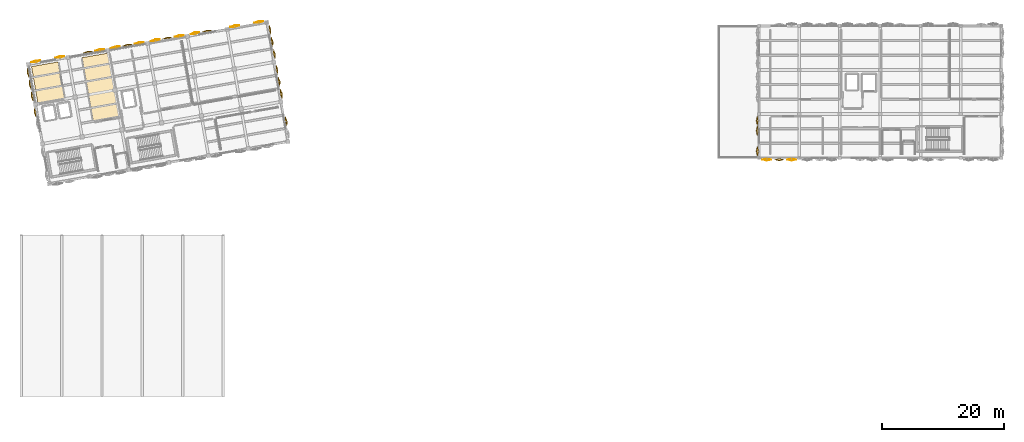
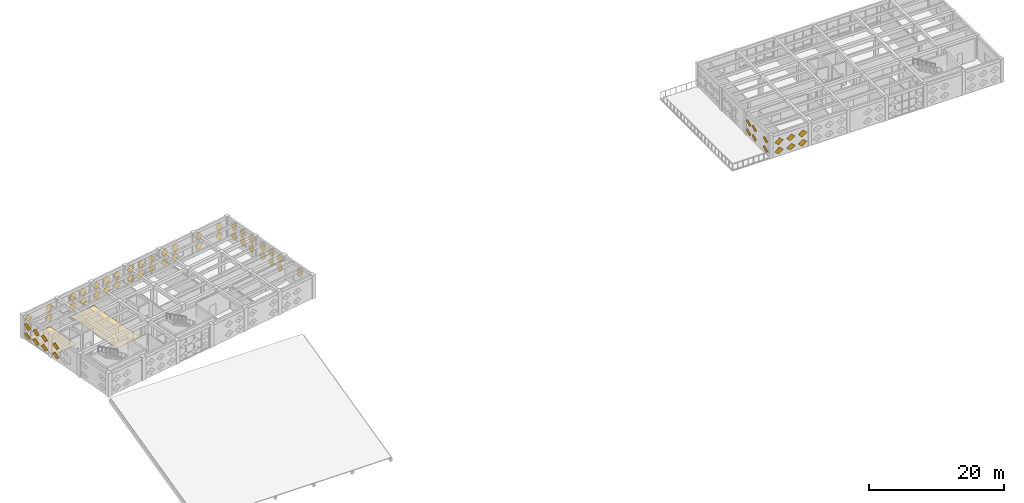
# One storey, part 37 of 39: 63 coverings.
"""IFC4 building model written with IfcOpenShell, lengths in metres."""

from ifc_helpers import new_model, si_unit, direction, frame, origin, place, context, subcontext, project, spatial, polyline, outline, extrude, material, layer, layer_set, type_object, element, save


model = new_model("IFC4")

# Units and contexts
model_context = context("Model", 3, precision=1e-05, world=origin(), true_north=direction((0.0, 1.0)))
body_context = subcontext(model_context, "Body", "Model", "MODEL_VIEW")
ifc_project = project(units=[si_unit("LENGTHUNIT", "METRE"), si_unit("AREAUNIT", "SQUARE_METRE"), si_unit("VOLUMEUNIT", "CUBIC_METRE"), si_unit("PLANEANGLEUNIT", "RADIAN"), si_unit("MASSUNIT", "GRAM", prefix="KILO")], contexts=[model_context])

# Site, building, storey
site_placement = place(None, origin())
site = spatial("IfcSite", under=ifc_project, at=site_placement, CompositionType="ELEMENT")
building_placement = place(site_placement, origin())
building = spatial("IfcBuilding", under=site, at=building_placement, Name="Kharisveld Research Institute", CompositionType="ELEMENT")
storey_placement = place(building_placement, frame((0.0, 0.0, 23.10009765625)))
storey = spatial("IfcBuildingStorey", under=building, at=storey_placement, Name="L05", CompositionType="ELEMENT", Elevation=23.10009765625)

# Coverings
ifc_material_1 = material(Name="Seamless Chemical-Resistant Epoxy", Category="mineral")
ifc_layer = layer(ifc_material_1, 0.014892578125)
ifc_layer_set = layer_set([ifc_layer], Name="CV_FLR_EPX")
covering_type_1 = type_object("IfcCoveringType", Name="CV_FLR_EPX", PredefinedType="FLOORING", material=ifc_layer_set)
covering_1_placement = place(storey_placement, origin())
element("IfcCovering", 1, at=covering_1_placement, inside=storey, type_object=covering_type_1, Name="COV:RM:V1:L05:NW:FLR", PredefinedType="FLOORING", context=body_context, shape_type="SweptSolid", body=[
    extrude(outline(polyline([(3.34228515625, 48.136962890625), (7.675537109375, 48.90087890625), (6.6162109375, 54.908203125), (2.282958984375, 54.144287109375), (3.34228515625, 48.136962890625)])), origin(), (0.0, 0.0, 1.0), 0.014892578125),
])
covering_2_placement = place(storey_placement, origin())
element("IfcCovering", 2, at=covering_2_placement, inside=storey, type_object=covering_type_1, Name="COV:RM:V1:L05:N1:FLR", PredefinedType="FLOORING", context=body_context, shape_type="SweptSolid", body=[
    extrude(outline(polyline([(12.41357421875, 45.0654296875), (16.84521484375, 45.8466796875), (14.987060546875, 56.38427734375), (10.555419921875, 55.602783203125), (12.41357421875, 45.0654296875)])), origin(), (0.0, 0.0, 1.0), 0.014892578125),
])
ifc_material_2 = material(Name="White Powder-Coated Perforated Aluminium", Category="aluminium")
covering_type_2 = type_object("IfcCoveringType", Name="CV_DIA_105", PredefinedType="CLADDING")
for number, where, z_axis, x_axis, name in (
    (3, (3.0380859375, 46.69873046875, 0.324951171875), (0.961487125864, 0.169504241221, 0.216358080518), (-0.27342850239, 0.669853329409, 0.690313965642), "SHD:V1:L05:W1:S2C0"),
    (4, (3.0380859375, 46.69873046875, 2.025146484375), (0.961487125864, 0.169504241221, 0.216358080518), (-0.27342850239, 0.669853329409, 0.690313965642), "SHD:V1:L05:W1:S2C1"),
):
    element("IfcCovering", number, at=place(storey_placement, frame(where, z_axis=z_axis, x_axis=x_axis)), inside=storey, type_object=covering_type_2, material=ifc_material_2, Name=name, PredefinedType="CLADDING", context=body_context, shape_type="SweptSolid", body=[
        extrude(outline(polyline([(0.0, 0.0), (1.0500345519602505, 0.0), (1.0499807392517624, 1.0499534878027108), (-5.381270848814346e-05, 1.049953487802711), (0.0, 0.0)])), origin(), (0.0, 0.0, -1.0), 0.02392578125),
    ])
for number, where, z_axis, x_axis, name in (
    (5, (2.58203125, 49.28564453125, 0.324951171875), (0.961442649282, 0.16952470156, 0.216539621552), (-0.273578570302, 0.66970617229, 0.690397283213), "SHD:V1:L05:W2:S0C0"),
    (6, (2.58203125, 49.28564453125, 2.025146484375), (0.961442649282, 0.16952470156, 0.216539621552), (-0.273578570302, 0.66970617229, 0.690397283213), "SHD:V1:L05:W2:S0C1"),
):
    element("IfcCovering", number, at=place(storey_placement, frame(where, z_axis=z_axis, x_axis=x_axis)), inside=storey, type_object=covering_type_2, material=ifc_material_2, Name=name, PredefinedType="CLADDING", context=body_context, shape_type="SweptSolid", body=[
        extrude(outline(polyline([(0.0, 0.0), (1.0498710226392558, 0.0), (1.0500604882684064, 1.0499603061510638), (0.00012267398601040203, 1.0499534754558235), (0.0, 0.0)])), origin(), (0.0, 0.0, -1.0), 0.02392578125),
    ])
for number, where, z_axis, x_axis, name in (
    (7, (2.237060546875, 51.2421875, 0.324951171875), (0.961420032054, 0.169652917176, 0.216539626071), (-0.273667258538, 0.669685861016, 0.690381835769), "SHD:V1:L05:W2:S1C0"),
    (8, (2.237060546875, 51.2421875, 2.025146484375), (0.961420032054, 0.169652917176, 0.216539626071), (-0.273667258538, 0.669685861016, 0.690381835769), "SHD:V1:L05:W2:S1C1"),
):
    element("IfcCovering", number, at=place(storey_placement, frame(where, z_axis=z_axis, x_axis=x_axis)), inside=storey, type_object=covering_type_2, material=ifc_material_2, Name=name, PredefinedType="CLADDING", context=body_context, shape_type="SweptSolid", body=[
        extrude(outline(polyline([(0.0, 0.0), (1.0499378206599106, 0.0), (1.0500673127316735, 1.0499534809922781), (-3.40054528989997e-05, 1.0501299963078314), (0.0, 0.0)])), origin(), (0.0, 0.0, -1.0), 0.02392578125),
    ])
for number, where, z_axis, x_axis, name in (
    (9, (1.89208984375, 53.198486328125, 0.324951171875), (0.961425979727, 0.169653966706, 0.216512394765), (-0.27364360613, 0.669810730042, 0.69027006508), "SHD:V1:L05:W2:S2C0"),
    (10, (1.89208984375, 53.198486328125, 2.025146484375), (0.961425979727, 0.169653966706, 0.216512394765), (-0.27364360613, 0.669810730042, 0.69027006508), "SHD:V1:L05:W2:S2C1"),
):
    element("IfcCovering", number, at=place(storey_placement, frame(where, z_axis=z_axis, x_axis=x_axis)), inside=storey, type_object=covering_type_2, material=ifc_material_2, Name=name, PredefinedType="CLADDING", context=body_context, shape_type="SweptSolid", body=[
        extrude(outline(polyline([(0.0, 0.0), (1.0501013332243323, 1.1102230246251565e-16), (1.050054335240126, 1.049953488129867), (-4.699798420648715e-05, 1.049953488129867), (0.0, 0.0)])), origin(), (0.0, 0.0, -1.0), 0.02392578125),
    ])
covering_3_placement = place(storey_placement, frame((3.03125, 54.87255859375, 0.317626953125), z_axis=(0.171391321025, -0.971271535422, 0.16509578903), x_axis=(0.676154491616, 0.237843352225, 0.697313160116)))
element("IfcCovering", 11, at=covering_3_placement, inside=storey, type_object=covering_type_2, material=ifc_material_2, Name="SHD:V1:L05:N0:S0C0", PredefinedType="CLADDING", context=body_context, shape_type="SweptSolid", body=[
    extrude(outline(polyline([(0.0, 0.0), (1.050003217317155, -1.1102230246251565e-16), (1.0499897073592166, 1.0500851275961767), (-0.00018375242866985886, 1.0499148410000858), (0.0, 0.0)])), origin(), (0.0, 0.0, -1.0), 0.02392578125),
])
covering_4_placement = place(storey_placement, frame((3.03125, 54.87255859375, 2.017578125), z_axis=(0.171391321025, -0.971271535422, 0.16509578903), x_axis=(0.676038293912, 0.237842070836, 0.697426250226)))
element("IfcCovering", 12, at=covering_4_placement, inside=storey, type_object=covering_type_2, material=ifc_material_2, Name="SHD:V1:L05:N0:S0C1", PredefinedType="CLADDING", context=body_context, shape_type="SweptSolid", body=[
    extrude(outline(polyline([(0.0, 0.0), (1.0501734735939505, -1.1102230246251565e-16), (1.0501599658262741, 1.049914856993047), (0.00015676231294525778, 1.0500851159819262), (0.0, 0.0)])), origin(), (0.0, 0.0, -1.0), 0.02392578125),
])
covering_5_placement = place(storey_placement, frame((6.9443359375, 55.5625, 0.317626953125), z_axis=(0.171260983897, -0.971289803558, 0.165123568578), x_axis=(0.676047594671, 0.237771051008, 0.69744145062)))
element("IfcCovering", 13, at=covering_5_placement, inside=storey, type_object=covering_type_2, material=ifc_material_2, Name="SHD:V1:L05:N0:S2C0", PredefinedType="CLADDING", context=body_context, shape_type="SweptSolid", body=[
    extrude(outline(polyline([(0.0, 0.0), (1.0498381477776833, -1.1102230246251565e-16), (1.0499996344353992, 1.0500851062964023), (4.926243906100414e-05, 1.0499129451252003), (0.0, 0.0)])), origin(), (0.0, 0.0, -1.0), 0.02392578125),
])
covering_6_placement = place(storey_placement, frame((6.9443359375, 55.5625, 2.017578125), z_axis=(0.171260983897, -0.971289803558, 0.165123568578), x_axis=(0.67593137977, 0.237769781024, 0.697554514769)))
element("IfcCovering", 14, at=covering_6_placement, inside=storey, type_object=covering_type_2, material=ifc_material_2, Name="SHD:V1:L05:N0:S2C1", PredefinedType="CLADDING", context=body_context, shape_type="SweptSolid", body=[
    extrude(outline(polyline([(0.0, 0.0), (1.0500084353722339, -1.1102230246251565e-16), (1.0501698867361986, 1.0499148402477598), (0.00038980202211746917, 1.050083149396377), (0.0, 0.0)])), origin(), (0.0, 0.0, -1.0), 0.02392578125),
])
for number, where, z_axis, x_axis, name in (
    (15, (11.494140625, 56.326171875, 0.324951171875), (0.169503194288, -0.961481187298, 0.216385289699), (0.669849989418, 0.273447448775, 0.690309701826), "SHD:V1:L05:N1:S1C0"),
    (16, (11.494140625, 56.326171875, 2.025146484375), (0.169503194288, -0.961481187298, 0.216385289699), (0.669849989418, 0.273447448775, 0.690309701826), "SHD:V1:L05:N1:S1C1"),
):
    element("IfcCovering", number, at=place(storey_placement, frame(where, z_axis=z_axis, x_axis=x_axis)), inside=storey, type_object=covering_type_2, material=ifc_material_2, Name=name, PredefinedType="CLADDING", context=body_context, shape_type="SweptSolid", body=[
        extrude(outline(polyline([(0.0, 0.0), (1.0500345517563856, -1.1102230246251565e-16), (1.0498172010450848, 1.0501299743656882), (-5.381311622809637e-05, 1.0499534875988095), (0.0, 0.0)])), origin(), (0.0, 0.0, -1.0), 0.02392578125),
    ])
covering_7_placement = place(storey_placement, frame((13.444091796875, 56.708740234375, 0.317626953125), z_axis=(0.171237830585, -0.971320648866, 0.164966064583), x_axis=(0.67606903884, 0.237642011667, 0.697464643558)))
element("IfcCovering", 17, at=covering_7_placement, inside=storey, type_object=covering_type_2, material=ifc_material_2, Name="SHD:V1:L05:N1:S2C0", PredefinedType="CLADDING", context=body_context, shape_type="SweptSolid", body=[
    extrude(outline(polyline([(0.0, 0.0), (1.0497801020167383, -1.1102230246251565e-16), (1.0499435113361357, 1.0500851143599854), (-0.0001719260522816679, 1.0500898242129075), (0.0, 0.0)])), origin(), (0.0, 0.0, -1.0), 0.02392578125),
])
covering_8_placement = place(storey_placement, frame((13.444091796875, 56.708740234375, 2.017578125), z_axis=(0.171237830585, -0.971320648866, 0.164966064583), x_axis=(0.67595281755, 0.23764072687, 0.697577718522)))
element("IfcCovering", 18, at=covering_8_placement, inside=storey, type_object=covering_type_2, material=ifc_material_2, Name="SHD:V1:L05:N1:S2C1", PredefinedType="CLADDING", context=body_context, shape_type="SweptSolid", body=[
    extrude(outline(polyline([(0.0, 0.0), (1.0499503952749474, -1.1102230246251565e-16), (1.0501137764870712, 1.0499148445609001), (0.00016866072896248863, 1.0502600677810072), (0.0, 0.0)])), origin(), (0.0, 0.0, -1.0), 0.02392578125),
])
covering_9_placement = place(storey_placement, frame((16.03076171875, 57.164794921875, 0.317626953125), z_axis=(0.171234061711, -0.9712992705, 0.165095800177), x_axis=(0.676172534966, 0.237733660148, 0.69733306948)))
element("IfcCovering", 19, at=covering_9_placement, inside=storey, type_object=covering_type_2, material=ifc_material_2, Name="SHD:V1:L05:N2:S0C0", PredefinedType="CLADDING", context=body_context, shape_type="SweptSolid", body=[
    extrude(outline(polyline([(0.0, 0.0), (1.049945167901042, 2.220446049250313e-16), (1.0499916144071415, 1.0500832207180806), (-0.0001818412696886762, 1.0499148369138707), (0.0, 0.0)])), origin(), (0.0, 0.0, -1.0), 0.02392578125),
])
covering_10_placement = place(storey_placement, frame((16.03076171875, 57.164794921875, 2.017578125), z_axis=(0.171234061711, -0.9712992705, 0.165095800177), x_axis=(0.67605633082, 0.237732396439, 0.697446159385)))
element("IfcCovering", 20, at=covering_10_placement, inside=storey, type_object=covering_type_2, material=ifc_material_2, Name="SHD:V1:L05:N2:S0C1", PredefinedType="CLADDING", context=body_context, shape_type="SweptSolid", body=[
    extrude(outline(polyline([(0.0, 0.0), (1.050115429038497, -1.1102230246251565e-16), (1.0501618771158647, 1.0499129452537745), (0.00015868288277420817, 1.050085106724131), (0.0, 0.0)])), origin(), (0.0, 0.0, -1.0), 0.02392578125),
])
for number, where, z_axis, x_axis, name in (
    (21, (17.993896484375, 57.47216796875, 0.324951171875), (0.169530643305, -0.961476347302, 0.21638529192), (0.669725119033, 0.273471090272, 0.690421485559), "SHD:V1:L05:N2:S1C0"),
    (22, (17.993896484375, 57.47216796875, 2.025146484375), (0.169530643305, -0.961476347302, 0.21638529192), (0.669725119033, 0.273471090272, 0.690421485559), "SHD:V1:L05:N2:S1C1"),
):
    element("IfcCovering", number, at=place(storey_placement, frame(where, z_axis=z_axis, x_axis=x_axis)), inside=storey, type_object=covering_type_2, material=ifc_material_2, Name=name, PredefinedType="CLADDING", context=body_context, shape_type="SweptSolid", body=[
        extrude(outline(polyline([(0.0, 0.0), (1.0498710291992122, 0.0), (1.0499937163043682, 1.0499534820137317), (0.00012268710515594972, 1.049953482013732), (0.0, 0.0)])), origin(), (0.0, 0.0, -1.0), 0.02392578125),
    ])
covering_11_placement = place(storey_placement, frame((19.943603515625, 57.854736328125, 0.317626953125), z_axis=(0.171234061711, -0.9712992705, 0.165095800177), x_axis=(0.676172534966, 0.237733660148, 0.69733306948)))
element("IfcCovering", 23, at=covering_11_placement, inside=storey, type_object=covering_type_2, material=ifc_material_2, Name="SHD:V1:L05:N2:S2C0", PredefinedType="CLADDING", context=body_context, shape_type="SweptSolid", body=[
    extrude(outline(polyline([(0.0, 0.0), (1.049945167901042, 2.220446049250313e-16), (1.0499916144071415, 1.0500832207180806), (-0.0001818412696886762, 1.0499148369138707), (0.0, 0.0)])), origin(), (0.0, 0.0, -1.0), 0.02392578125),
])
covering_12_placement = place(storey_placement, frame((19.943603515625, 57.854736328125, 2.017578125), z_axis=(0.171234061711, -0.9712992705, 0.165095800177), x_axis=(0.67605633082, 0.237732396439, 0.697446159385)))
element("IfcCovering", 24, at=covering_12_placement, inside=storey, type_object=covering_type_2, material=ifc_material_2, Name="SHD:V1:L05:N2:S2C1", PredefinedType="CLADDING", context=body_context, shape_type="SweptSolid", body=[
    extrude(outline(polyline([(0.0, 0.0), (1.050115429038497, -1.1102230246251565e-16), (1.0501618771158647, 1.0499129452537745), (0.00015868288277420817, 1.050085106724131), (0.0, 0.0)])), origin(), (0.0, 0.0, -1.0), 0.02392578125),
])
covering_13_placement = place(storey_placement, frame((22.530517578125, 58.310791015625, 0.317626953125), z_axis=(0.171390512545, -0.971266953781, 0.165123580094), x_axis=(0.676151077012, 0.237862701976, 0.697309870907)))
element("IfcCovering", 25, at=covering_13_placement, inside=storey, type_object=covering_type_2, material=ifc_material_2, Name="SHD:V1:L05:N3:S0C0", PredefinedType="CLADDING", context=body_context, shape_type="SweptSolid", body=[
    extrude(outline(polyline([(0.0, 0.0), (1.050003217510283, 0.0), (1.0498246311890689, 1.0502600661401604), (-0.00018375204238008092, 1.049914841193298), (0.0, 0.0)])), origin(), (0.0, 0.0, -1.0), 0.02392578125),
])
covering_14_placement = place(storey_placement, frame((22.530517578125, 58.310791015625, 2.017578125), z_axis=(0.171390512545, -0.971266953781, 0.165123580094), x_axis=(0.676034879302, 0.237861423731, 0.697422959951)))
element("IfcCovering", 26, at=covering_14_placement, inside=storey, type_object=covering_type_2, material=ifc_material_2, Name="SHD:V1:L05:N3:S0C1", PredefinedType="CLADDING", context=body_context, shape_type="SweptSolid", body=[
    extrude(outline(polyline([(0.0, 0.0), (1.050173472983919, 1.1102230246251565e-16), (1.0499949172216057, 1.0500898231050488), (0.00015676109297302343, 1.0500851153720256), (0.0, 0.0)])), origin(), (0.0, 0.0, -1.0), 0.02392578125),
])
for number, where, z_axis, x_axis, name in (
    (27, (24.49365234375, 58.6181640625, 0.324951171875), (0.169497253476, -0.961447488939, 0.216539620108), (0.669704807286, 0.273559805143, 0.690406042925), "SHD:V1:L05:N3:S1C0"),
    (28, (24.49365234375, 58.6181640625, 2.025146484375), (0.169497253476, -0.961447488939, 0.216539620108), (0.669704807286, 0.273559805143, 0.690406042925), "SHD:V1:L05:N3:S1C1"),
):
    element("IfcCovering", number, at=place(storey_placement, frame(where, z_axis=z_axis, x_axis=x_axis)), inside=storey, type_object=covering_type_2, material=ifc_material_2, Name=name, PredefinedType="CLADDING", context=body_context, shape_type="SweptSolid", body=[
        extrude(outline(polyline([(0.0, 0.0), (1.0499378117878446, 0.0), (1.0500673216048337, 1.0499534721181558), (3.2794728575202825e-05, 1.0501368269494782), (0.0, 0.0)])), origin(), (0.0, 0.0, -1.0), 0.02392578125),
    ])
covering_15_placement = place(storey_placement, frame((26.443359375, 59.000732421875, 0.317626953125), z_axis=(0.171234061711, -0.9712992705, 0.165095800177), x_axis=(0.676173830196, 0.2377336742, 0.697331808761)))
element("IfcCovering", 29, at=covering_15_placement, inside=storey, type_object=covering_type_2, material=ifc_material_2, Name="SHD:V1:L05:N3:S2C0", PredefinedType="CLADDING", context=body_context, shape_type="SweptSolid", body=[
    extrude(outline(polyline([(0.0, 0.0), (1.0500032083471293, -1.1102230246251565e-16), (1.0499897163291267, 1.0500851186270816), (-0.00012569859382338677, 1.049912938756706), (0.0, 0.0)])), origin(), (0.0, 0.0, -1.0), 0.02392578125),
])
covering_16_placement = place(storey_placement, frame((26.443359375, 59.000732421875, 2.017578125), z_axis=(0.171234061711, -0.9712992705, 0.165095800177), x_axis=(0.676057632461, 0.237732410628, 0.697444892825)))
element("IfcCovering", 30, at=covering_16_placement, inside=storey, type_object=covering_type_2, material=ifc_material_2, Name="SHD:V1:L05:N3:S2C1", PredefinedType="CLADDING", context=body_context, shape_type="SweptSolid", body=[
    extrude(outline(polyline([(0.0, 0.0), (1.050173469176079, 1.1102230246251565e-16), (1.0501599702440891, 1.049914852574201), (0.0002148158393612265, 1.050083199772804), (0.0, 0.0)])), origin(), (0.0, 0.0, -1.0), 0.02392578125),
])
covering_17_placement = place(storey_placement, frame((29.0302734375, 59.45703125, 0.317626953125), z_axis=(0.171265560486, -0.971315759231, 0.164966068212), x_axis=(0.676065629319, 0.237661352405, 0.697461358375)))
element("IfcCovering", 31, at=covering_17_placement, inside=storey, type_object=covering_type_2, material=ifc_material_2, Name="SHD:V1:L05:N4:S0C0", PredefinedType="CLADDING", context=body_context, shape_type="SweptSolid", body=[
    extrude(outline(polyline([(0.0, 0.0), (1.0497801026258213, 1.1102230246251565e-16), (1.0499435107269577, 1.0500851149690817), (-6.87055081072252e-06, 1.049914857057764), (0.0, 0.0)])), origin(), (0.0, 0.0, -1.0), 0.02392578125),
])
covering_18_placement = place(storey_placement, frame((29.0302734375, 59.45703125, 2.017578125), z_axis=(0.171265560486, -0.971315759231, 0.164966068212), x_axis=(0.675949408035, 0.237660064466, 0.697574434405)))
element("IfcCovering", 32, at=covering_18_placement, inside=storey, type_object=covering_type_2, material=ifc_material_2, Name="SHD:V1:L05:N4:S0C1", PredefinedType="CLADDING", context=body_context, shape_type="SweptSolid", body=[
    extrude(outline(polyline([(0.0, 0.0), (1.049950395082114, 0.0), (1.0501137766799347, 1.0499148443680004), (0.00033368785622012176, 1.050085074665025), (0.0, 0.0)])), origin(), (0.0, 0.0, -1.0), 0.02392578125),
])
for number, where, z_axis, x_axis, name in (
    (33, (30.993408203125, 59.764404296875, 0.324951171875), (0.169503194288, -0.961481187298, 0.216385289699), (0.669728459805, 0.273452141042, 0.690425750307), "SHD:V1:L05:N4:S1C0"),
    (34, (30.993408203125, 59.764404296875, 2.025146484375), (0.169503194288, -0.961481187298, 0.216385289699), (0.669728459805, 0.273452141042, 0.690425750307), "SHD:V1:L05:N4:S1C1"),
):
    element("IfcCovering", number, at=place(storey_placement, frame(where, z_axis=z_axis, x_axis=x_axis)), inside=storey, type_object=covering_type_2, material=ifc_material_2, Name=name, PredefinedType="CLADDING", context=body_context, shape_type="SweptSolid", body=[
        extrude(outline(polyline([(0.0, 0.0), (1.0498710289953155, -1.1102230246251565e-16), (1.0499937165082887, 1.0499534818098035), (-4.082041178410378e-05, 1.0501299960653954), (0.0, 0.0)])), origin(), (0.0, 0.0, -1.0), 0.02392578125),
    ])
covering_19_placement = place(storey_placement, frame((35.530029296875, 60.60302734375, 0.317626953125), z_axis=(0.171260983897, -0.971289803558, 0.165123568578), x_axis=(0.67604629243, 0.23777103681, 0.697442717753)))
element("IfcCovering", 35, at=covering_19_placement, inside=storey, type_object=covering_type_2, material=ifc_material_2, Name="SHD:V1:L05:N5:S0C0", PredefinedType="CLADDING", context=body_context, shape_type="SweptSolid", body=[
    extrude(outline(polyline([(0.0, 0.0), (1.049780098206416, 0.0), (1.0500015424873141, 1.050083198396327), (-6.879389649716572e-06, 1.0499148526388677), (0.0, 0.0)])), origin(), (0.0, 0.0, -1.0), 0.02392578125),
])
covering_20_placement = place(storey_placement, frame((35.530029296875, 60.60302734375, 2.017578125), z_axis=(0.171260983897, -0.971289803558, 0.165123568578), x_axis=(0.675930071115, 0.237769766688, 0.697555787741)))
element("IfcCovering", 36, at=covering_20_placement, inside=storey, type_object=covering_type_2, material=ifc_material_2, Name="SHD:V1:L05:N5:S0C1", PredefinedType="CLADDING", context=body_context, shape_type="SweptSolid", body=[
    extrude(outline(polyline([(0.0, 0.0), (1.0499503861110382, 2.220446049250313e-16), (1.0501718035814118, 1.0499129229334039), (0.0003336699169195212, 1.0500850657008003), (0.0, 0.0)])), origin(), (0.0, 0.0, -1.0), 0.02392578125),
])
covering_21_placement = place(storey_placement, frame((39.44287109375, 61.29296875, 0.317626953125), z_axis=(0.171234061711, -0.9712992705, 0.165095800177), x_axis=(0.676172534966, 0.237733660148, 0.69733306948)))
element("IfcCovering", 37, at=covering_21_placement, inside=storey, type_object=covering_type_2, material=ifc_material_2, Name="SHD:V1:L05:N5:S2C0", PredefinedType="CLADDING", context=body_context, shape_type="SweptSolid", body=[
    extrude(outline(polyline([(0.0, 0.0), (1.049945167901042, 2.220446049250313e-16), (1.0499916144071415, 1.0500832207180806), (-0.0001818412696886762, 1.0499148369138707), (0.0, 0.0)])), origin(), (0.0, 0.0, -1.0), 0.02392578125),
])
covering_22_placement = place(storey_placement, frame((39.44287109375, 61.29296875, 2.017578125), z_axis=(0.171234061711, -0.9712992705, 0.165095800177), x_axis=(0.67605633082, 0.237732396439, 0.697446159385)))
element("IfcCovering", 38, at=covering_22_placement, inside=storey, type_object=covering_type_2, material=ifc_material_2, Name="SHD:V1:L05:N5:S2C1", PredefinedType="CLADDING", context=body_context, shape_type="SweptSolid", body=[
    extrude(outline(polyline([(0.0, 0.0), (1.050115429038497, -1.1102230246251565e-16), (1.0501618771158647, 1.0499129452537745), (0.00015868288277420817, 1.050085106724131), (0.0, 0.0)])), origin(), (0.0, 0.0, -1.0), 0.02392578125),
])
for number, where, z_axis, x_axis, name in (
    (39, (41.0859375, 60.109619140625, 0.324951171875), (-0.961425979727, -0.169653966706, 0.216512394765), (0.27364360613, -0.669810730042, 0.69027006508), "SHD:V1:L05:E3:S0C0"),
    (40, (41.0859375, 60.109619140625, 2.025146484375), (-0.961425979727, -0.169653966706, 0.216512394765), (0.27364360613, -0.669810730042, 0.69027006508), "SHD:V1:L05:E3:S0C1"),
    (41, (41.430908203125, 58.153076171875, 0.324951171875), (-0.961425979727, -0.169653966706, 0.216512394765), (0.27364360613, -0.669810730042, 0.69027006508), "SHD:V1:L05:E3:S1C0"),
    (42, (41.430908203125, 58.153076171875, 2.025146484375), (-0.961425979727, -0.169653966706, 0.216512394765), (0.27364360613, -0.669810730042, 0.69027006508), "SHD:V1:L05:E3:S1C1"),
):
    element("IfcCovering", number, at=place(storey_placement, frame(where, z_axis=z_axis, x_axis=x_axis)), inside=storey, type_object=covering_type_2, material=ifc_material_2, Name=name, PredefinedType="CLADDING", context=body_context, shape_type="SweptSolid", body=[
        extrude(outline(polyline([(0.0, 0.0), (1.0501013332243323, 1.1102230246251565e-16), (1.050054335240126, 1.049953488129867), (-4.699798420648715e-05, 1.049953488129867), (0.0, 0.0)])), origin(), (0.0, 0.0, -1.0), 0.02392578125),
    ])
for number, where, z_axis, x_axis, name in (
    (43, (41.77587890625, 56.196533203125, 0.324951171875), (-0.961420032054, -0.169652917176, 0.216539626071), (0.273662566838, -0.66980738436, 0.690265794725), "SHD:V1:L05:E3:S2C0"),
    (44, (41.77587890625, 56.196533203125, 2.025146484375), (-0.961420032054, -0.169652917176, 0.216539626071), (0.273662566838, -0.66980738436, 0.690265794725), "SHD:V1:L05:E3:S2C1"),
):
    element("IfcCovering", number, at=place(storey_placement, frame(where, z_axis=z_axis, x_axis=x_axis)), inside=storey, type_object=covering_type_2, material=ifc_material_2, Name=name, PredefinedType="CLADDING", context=body_context, shape_type="SweptSolid", body=[
        extrude(outline(polyline([(0.0, 0.0), (1.0501013330201203, 0.0), (1.049890807434033, 1.0501299757557796), (-4.699839263988537e-05, 1.0499534879256078), (0.0, 0.0)])), origin(), (0.0, 0.0, -1.0), 0.02392578125),
    ])
for number, where, z_axis, x_axis, name in (
    (45, (42.232177734375, 53.60986328125, 0.324951171875), (-0.961487125864, -0.169504241221, 0.216358080518), (0.27342850239, -0.669853329409, 0.690313965642), "SHD:V1:L05:E2:S0C0"),
    (46, (42.232177734375, 53.60986328125, 2.025146484375), (-0.961487125864, -0.169504241221, 0.216358080518), (0.27342850239, -0.669853329409, 0.690313965642), "SHD:V1:L05:E2:S0C1"),
):
    element("IfcCovering", number, at=place(storey_placement, frame(where, z_axis=z_axis, x_axis=x_axis)), inside=storey, type_object=covering_type_2, material=ifc_material_2, Name=name, PredefinedType="CLADDING", context=body_context, shape_type="SweptSolid", body=[
        extrude(outline(polyline([(0.0, 0.0), (1.0500345519602505, 0.0), (1.0499807392517624, 1.0499534878027108), (-5.381270848814346e-05, 1.049953487802711), (0.0, 0.0)])), origin(), (0.0, 0.0, -1.0), 0.02392578125),
    ])
for number, where, z_axis, x_axis, name in (
    (47, (42.5771484375, 51.6533203125, 0.324951171875), (-0.961481187298, -0.169503194288, 0.216385289699), (0.273447448775, -0.669849989418, 0.690309701826), "SHD:V1:L05:E2:S1C0"),
    (48, (42.5771484375, 51.6533203125, 2.025146484375), (-0.961481187298, -0.169503194288, 0.216385289699), (0.273447448775, -0.669849989418, 0.690309701826), "SHD:V1:L05:E2:S1C1"),
):
    element("IfcCovering", number, at=place(storey_placement, frame(where, z_axis=z_axis, x_axis=x_axis)), inside=storey, type_object=covering_type_2, material=ifc_material_2, Name=name, PredefinedType="CLADDING", context=body_context, shape_type="SweptSolid", body=[
        extrude(outline(polyline([(0.0, 0.0), (1.0500345517563856, -1.1102230246251565e-16), (1.0498172010450848, 1.0501299743656882), (-5.381311622809637e-05, 1.0499534875988095), (0.0, 0.0)])), origin(), (0.0, 0.0, -1.0), 0.02392578125),
    ])
for number, where, z_axis, x_axis, name in (
    (49, (42.922119140625, 49.69677734375, 0.324951171875), (-0.961476347302, -0.169530643305, 0.21638529192), (0.273471090272, -0.669725119033, 0.690421485559), "SHD:V1:L05:E2:S2C0"),
    (50, (42.922119140625, 49.69677734375, 2.025146484375), (-0.961476347302, -0.169530643305, 0.21638529192), (0.273471090272, -0.669725119033, 0.690421485559), "SHD:V1:L05:E2:S2C1"),
):
    element("IfcCovering", number, at=place(storey_placement, frame(where, z_axis=z_axis, x_axis=x_axis)), inside=storey, type_object=covering_type_2, material=ifc_material_2, Name=name, PredefinedType="CLADDING", context=body_context, shape_type="SweptSolid", body=[
        extrude(outline(polyline([(0.0, 0.0), (1.0498710291992122, 0.0), (1.0499937163043682, 1.0499534820137317), (0.00012268710515594972, 1.049953482013732), (0.0, 0.0)])), origin(), (0.0, 0.0, -1.0), 0.02392578125),
    ])
covering_23_placement = place(storey_placement, frame((43.72314453125, 45.153564453125, 2.025146484375), z_axis=(-0.961481187298, -0.169503194288, 0.216385289699), x_axis=(0.273447448775, -0.669849989418, 0.690309701826)))
element("IfcCovering", 51, at=covering_23_placement, inside=storey, type_object=covering_type_2, material=ifc_material_2, Name="SHD:V1:L05:E1:S1C1", PredefinedType="CLADDING", context=body_context, shape_type="SweptSolid", body=[
    extrude(outline(polyline([(0.0, 0.0), (1.0500345517563856, -1.1102230246251565e-16), (1.0498172010450848, 1.0501299743656882), (-5.381311622809637e-05, 1.0499534875988095), (0.0, 0.0)])), origin(), (0.0, 0.0, -1.0), 0.02392578125),
])
for number, where, z_axis, x_axis, name in (
    (52, (121.1005859375, 40.302490234375, 0.324951171875), (0.97631069788, 0.0, 0.216373337556), (-0.153000063457, 0.707102116981, 0.6903604687), "SHD:V2:L05:W0:S0C0"),
    (53, (121.1005859375, 40.302490234375, 2.025146484375), (0.97631069788, 0.0, 0.216373337556), (-0.153000063457, 0.707102116981, 0.6903604687), "SHD:V2:L05:W0:S0C1"),
    (54, (121.1005859375, 43.632568359375, 0.324951171875), (0.97631069788, 0.0, 0.216373337556), (-0.153000063457, 0.707102116981, 0.6903604687), "SHD:V2:L05:W0:S2C0"),
    (55, (121.1005859375, 43.632568359375, 2.025146484375), (0.97631069788, 0.0, 0.216373337556), (-0.153000063457, 0.707102116981, 0.6903604687), "SHD:V2:L05:W0:S2C1"),
):
    element("IfcCovering", number, at=place(storey_placement, frame(where, z_axis=z_axis, x_axis=x_axis)), inside=storey, type_object=covering_type_2, material=ifc_material_2, Name=name, PredefinedType="CLADDING", context=body_context, shape_type="SweptSolid", body=[
        extrude(outline(polyline([(0.0, 0.0), (1.0499638210603182, 0.0), (1.0499776725217052, 1.0499638209689517), (1.3851461386993336e-05, 1.0499638209689517), (0.0, 0.0)])), origin(), (0.0, 0.0, -1.0), 0.02392578125),
    ])
for number, where, z_axis, x_axis, name in (
    (56, (121.1005859375, 45.297607421875, 0.324951171875), (0.97631069788, 0.0, 0.216373337556), (-0.153000063457, 0.707102116981, 0.6903604687), "SHD:V2:L05:W0:S3C0"),
    (57, (121.1005859375, 45.297607421875, 2.025146484375), (0.97631069788, 0.0, 0.216373337556), (-0.153000063457, 0.707102116981, 0.6903604687), "SHD:V2:L05:W0:S3C1"),
):
    element("IfcCovering", number, at=place(storey_placement, frame(where, z_axis=z_axis, x_axis=x_axis)), inside=storey, type_object=covering_type_2, material=ifc_material_2, Name=name, PredefinedType="CLADDING", context=body_context, shape_type="SweptSolid", body=[
        extrude(outline(polyline([(0.0, 0.0), (1.0499638210603182, 0.0), (1.0499776725217052, 1.0499638209689517), (-0.00015878089139154117, 1.050136455599167), (0.0, 0.0)])), origin(), (0.0, 0.0, -1.0), 0.02392578125),
    ])
covering_24_placement = place(storey_placement, frame((126.52001953125, 39.0625, 0.317626953125), z_axis=(0.0, 0.986282612269, 0.165065468031), x_axis=(-0.707138821552, -0.116713622787, 0.697375521014)))
element("IfcCovering", 58, at=covering_24_placement, inside=storey, type_object=covering_type_2, material=ifc_material_2, Name="SHD:V2:L05:S2:S0C0", PredefinedType="CLADDING", context=body_context, shape_type="SweptSolid", body=[
    extrude(outline(polyline([(0.0, 0.0), (1.049909321899567, 0.0), (1.0499844306250534, 1.0500795907141018), (-9.51489700736774e-05, 1.049909317588087), (0.0, 0.0)])), origin(), (0.0, 0.0, -1.0), 0.02392578125),
])
covering_25_placement = place(storey_placement, frame((126.52001953125, 39.0625, 2.017578125), z_axis=(0.0, 0.986282612269, 0.165065468031), x_axis=(-0.707024158255, -0.116732548384, 0.697488603341)))
element("IfcCovering", 59, at=covering_25_placement, inside=storey, type_object=covering_type_2, material=ifc_material_2, Name="SHD:V2:L05:S2:S0C1", PredefinedType="CLADDING", context=body_context, shape_type="SweptSolid", body=[
    extrude(outline(polyline([(0.0, 0.0), (1.0500795934002414, -1.1102230246251565e-16), (1.0501546899467695, 1.0499093192138629), (0.0002453818500782745, 1.0500795647299133), (0.0, 0.0)])), origin(), (0.0, 0.0, -1.0), 0.02392578125),
])
for number, where, z_axis, x_axis, name in (
    (60, (124.5, 39.1005859375, 0.324951171875), (0.0, 0.97631069788, 0.216373337556), (-0.707102116981, -0.153000063457, 0.6903604687), "SHD:V2:L05:S2:S1C0"),
    (61, (124.5, 39.1005859375, 2.025146484375), (0.0, 0.97631069788, 0.216373337556), (-0.707102116981, -0.153000063457, 0.6903604687), "SHD:V2:L05:S2:S1C1"),
):
    element("IfcCovering", number, at=place(storey_placement, frame(where, z_axis=z_axis, x_axis=x_axis)), inside=storey, type_object=covering_type_2, material=ifc_material_2, Name=name, PredefinedType="CLADDING", context=body_context, shape_type="SweptSolid", body=[
        extrude(outline(polyline([(0.0, 0.0), (1.0499638210603182, 0.0), (1.0499776725217052, 1.0499638209689517), (1.3851461386993336e-05, 1.0499638209689517), (0.0, 0.0)])), origin(), (0.0, 0.0, -1.0), 0.02392578125),
    ])
covering_26_placement = place(storey_placement, frame((122.47998046875, 39.0625, 0.317626953125), z_axis=(0.0, 0.986282612269, 0.165065468031), x_axis=(-0.707138821552, -0.116713622787, 0.697375521014)))
element("IfcCovering", 62, at=covering_26_placement, inside=storey, type_object=covering_type_2, material=ifc_material_2, Name="SHD:V2:L05:S2:S2C0", PredefinedType="CLADDING", context=body_context, shape_type="SweptSolid", body=[
    extrude(outline(polyline([(0.0, 0.0), (1.049909321899567, 0.0), (1.0499844306250534, 1.0500795907141018), (-9.51489700736774e-05, 1.049909317588087), (0.0, 0.0)])), origin(), (0.0, 0.0, -1.0), 0.02392578125),
])
covering_27_placement = place(storey_placement, frame((122.47998046875, 39.0625, 2.017578125), z_axis=(0.0, 0.986282612269, 0.165065468031), x_axis=(-0.707024158255, -0.116732548384, 0.697488603341)))
element("IfcCovering", 63, at=covering_27_placement, inside=storey, type_object=covering_type_2, material=ifc_material_2, Name="SHD:V2:L05:S2:S2C1", PredefinedType="CLADDING", context=body_context, shape_type="SweptSolid", body=[
    extrude(outline(polyline([(0.0, 0.0), (1.0500795934002414, -1.1102230246251565e-16), (1.0501546899467695, 1.0499093192138629), (0.0002453818500782745, 1.0500795647299133), (0.0, 0.0)])), origin(), (0.0, 0.0, -1.0), 0.02392578125),
])

save(model, "model.ifc")
